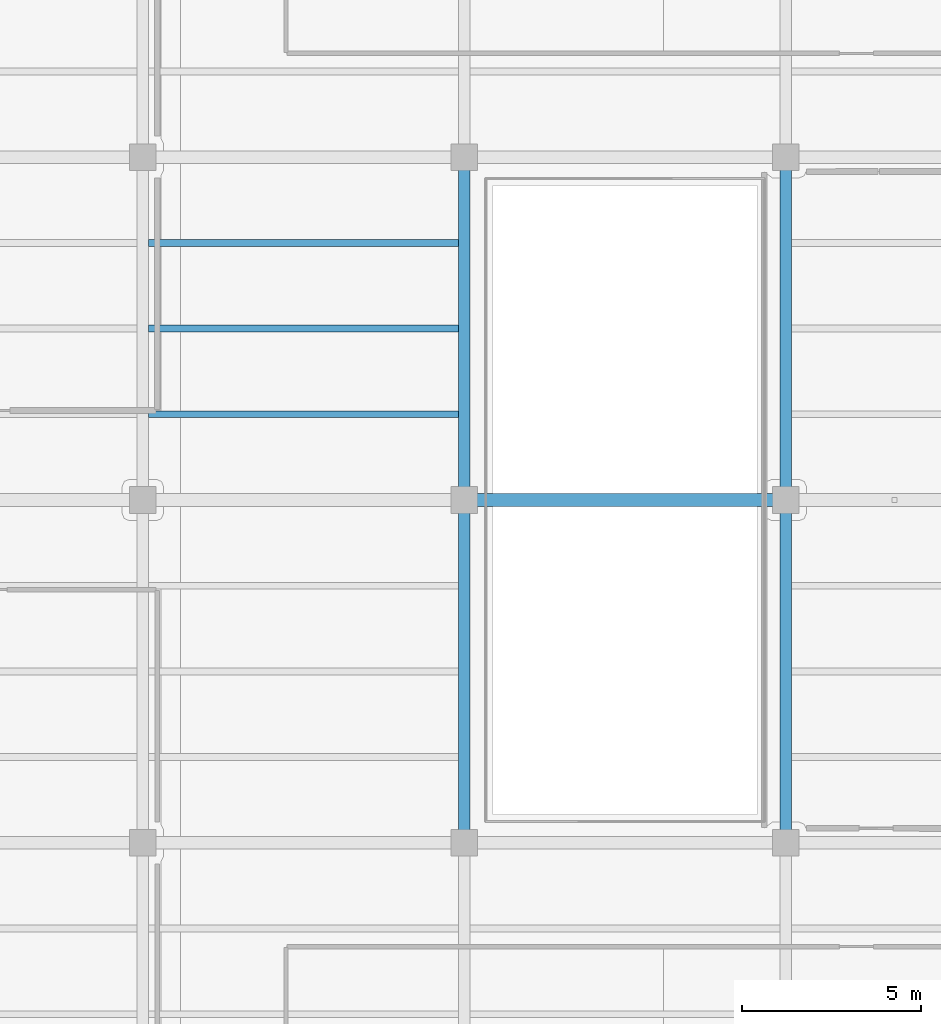
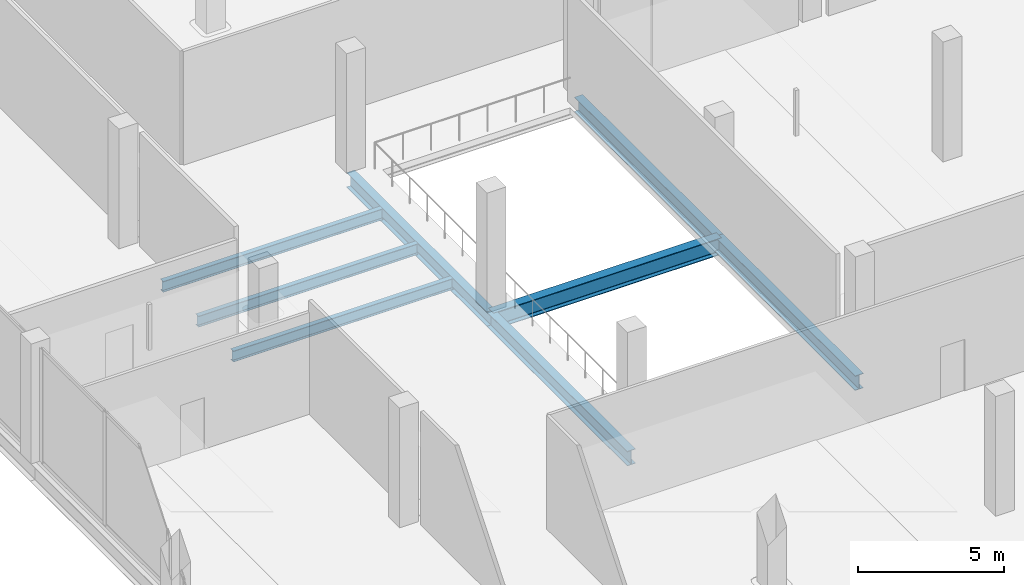
# One storey, part 10 of 47: 8 beams.
"""IFC4 building model written with IfcOpenShell, lengths in metres."""

from ifc_helpers import new_model, si_unit, direction, frame, origin, origin_2d, place, context, subcontext, project, spatial, i_section, extrude, material, material_profile, profile_set, type_object, element, save


model = new_model("IFC4")

# Units and contexts
model_context = context("Model", 3, precision=1e-05, world=origin(), true_north=direction((0.0, 1.0)))
body_context = subcontext(model_context, "Body", "Model", "MODEL_VIEW")
ifc_project = project(units=[si_unit("LENGTHUNIT", "METRE"), si_unit("AREAUNIT", "SQUARE_METRE"), si_unit("VOLUMEUNIT", "CUBIC_METRE"), si_unit("PLANEANGLEUNIT", "RADIAN"), si_unit("MASSUNIT", "GRAM", prefix="KILO")], contexts=[model_context])

# Site, building, storey
site_placement = place(None, origin())
site = spatial("IfcSite", under=ifc_project, at=site_placement, CompositionType="ELEMENT")
building_placement = place(site_placement, origin())
building = spatial("IfcBuilding", under=site, at=building_placement, Name="Qorvath Tower", CompositionType="ELEMENT")
storey_placement = place(building_placement, frame((0.0, 0.0, 12.0)))
storey = spatial("IfcBuildingStorey", under=building, at=storey_placement, Name="L02", CompositionType="ELEMENT", Elevation=12.0)

# Beams
ifc_material_1 = material(Name="Steel ASTM A992 Grade 50", Category="steel")
ifc_material_profile_1 = material_profile(ifc_material_1, i_section(OverallWidth=0.35595703125, OverallDepth=0.696044921875, WebThickness=0.015380859375, FlangeThickness=0.02490234375, FilletRadius=0.01806640625, at=origin_2d()), Name="W27x146")
ifc_profile_set_1 = profile_set([ifc_material_profile_1], Name="Steel ASTM A992 Grade 50")
beam_type_1 = type_object("IfcBeamType", Name="BM-FG4", PredefinedType="BEAM", material=ifc_profile_set_1)
beam_placement = place(storey_placement, frame((50.39990234375, 0.0, -0.60791015625), z_axis=(1.0, 0.0, 0.0), x_axis=(0.0, 1.0, 0.0)))
element("IfcBeam", 1, at=beam_placement, inside=storey, type_object=beam_type_1, Name="Library E-W Girder L02-5-3", PredefinedType="BEAM", context=body_context, shape_type="SweptSolid", body=[
    extrude(i_section(OverallWidth=0.35595703125, OverallDepth=0.696044921875, WebThickness=0.015380859375, FlangeThickness=0.02490234375, FilletRadius=0.01806640625, at=origin_2d()), origin(), (0.0, 0.0, 1.0), 9.0),
])
ifc_material_2 = material(Name="Steel ASTM A992 Grade 50", Category="steel")
ifc_material_profile_2 = material_profile(ifc_material_2, i_section(OverallWidth=0.324951171875, OverallDepth=0.615966796875, WebThickness=0.013916015625, FlangeThickness=0.021484375, FilletRadius=0.01611328125, at=origin_2d()), Name="W24x117")
ifc_profile_set_2 = profile_set([ifc_material_profile_2], Name="Steel ASTM A992 Grade 50")
beam_type_2 = type_object("IfcBeamType", Name="BM-FG5", PredefinedType="BEAM", material=ifc_profile_set_2)
for number, where, z_axis, x_axis, name in (
    (2, (50.39990234375, -9.60009765625, -0.568115234375), (0.0, 1.0, 0.0), (-1.0, 0.0, 0.0), "Library N-S Girder L02-3-4"),
    (3, (50.39990234375, 0.0, -0.568115234375), (0.0, 1.0, 0.0), (-1.0, 0.0, 0.0), "Library N-S Girder L02-3-5"),
    (4, (59.39990234375, -9.60009765625, -0.568115234375), (0.0, 1.0, 0.0), (-1.0, 0.0, 0.0), "Library N-S Girder L02-4-4"),
    (5, (59.39990234375, 0.0, -0.568115234375), (0.0, 1.0, 0.0), (-1.0, 0.0, 0.0), "Library N-S Girder L02-4-5"),
):
    element("IfcBeam", number, at=place(storey_placement, frame(where, z_axis=z_axis, x_axis=x_axis)), inside=storey, type_object=beam_type_2, Name=name, PredefinedType="BEAM", context=body_context, shape_type="SweptSolid", body=[
        extrude(i_section(OverallWidth=0.324951171875, OverallDepth=0.615966796875, WebThickness=0.013916015625, FlangeThickness=0.021484375, FilletRadius=0.01611328125, at=origin_2d()), origin(), (0.0, 0.0, 1.0), 9.60009765625),
    ])
ifc_material_3 = material(Name="Steel ASTM A992 Grade 50", Category="steel")
ifc_material_profile_3 = material_profile(ifc_material_3, i_section(OverallWidth=0.18994140625, OverallDepth=0.45703125, WebThickness=0.009033203125, FlangeThickness=0.014404296875, FilletRadius=0.011962890625, at=origin_2d()), Name="W18x50")
ifc_profile_set_3 = profile_set([ifc_material_profile_3], Name="Steel ASTM A992 Grade 50")
beam_type_3 = type_object("IfcBeamType", Name="BM-FJ2", PredefinedType="JOIST", material=ifc_profile_set_3)
for number, where, z_axis, x_axis, name in (
    (6, (41.560546875, 2.39990234375, -0.488525390625), (1.0, 0.0, 0.0), (0.0, 1.0, 0.0), "Library Stack Joist L02-5.1-2"),
    (7, (41.560546875, 4.800048828125, -0.488525390625), (1.0, 0.0, 0.0), (0.0, 1.0, 0.0), "Library Stack Joist L02-5.2-2"),
    (8, (41.560546875, 7.199951171875, -0.488525390625), (1.0, 0.0, 0.0), (0.0, 1.0, 0.0), "Library Stack Joist L02-5.3-2"),
):
    element("IfcBeam", number, at=place(storey_placement, frame(where, z_axis=z_axis, x_axis=x_axis)), inside=storey, type_object=beam_type_3, Name=name, PredefinedType="JOIST", context=body_context, shape_type="SweptSolid", body=[
        extrude(i_section(OverallWidth=0.18994140625, OverallDepth=0.45703125, WebThickness=0.009033203125, FlangeThickness=0.014404296875, FilletRadius=0.011962890625, at=origin_2d()), origin(), (0.0, 0.0, 1.0), 8.678955078125),
    ])

save(model, "model.ifc")
